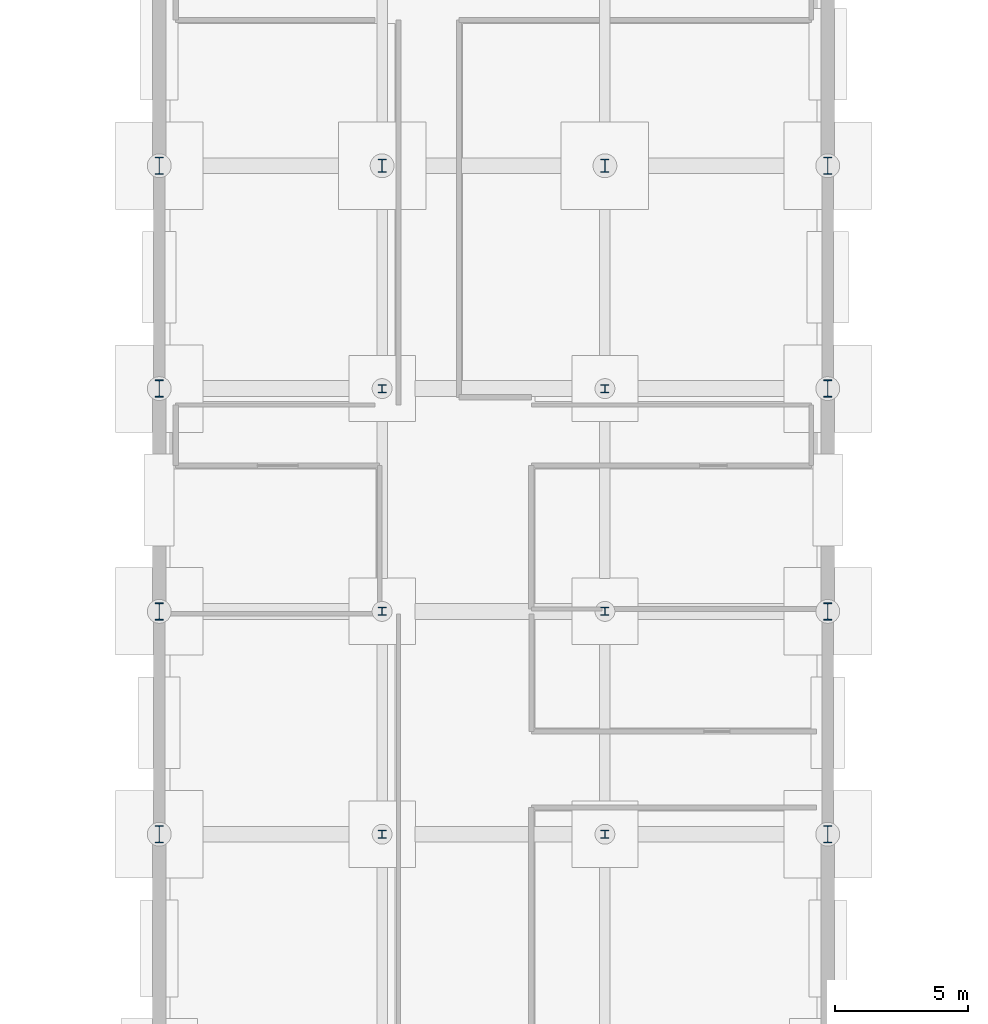
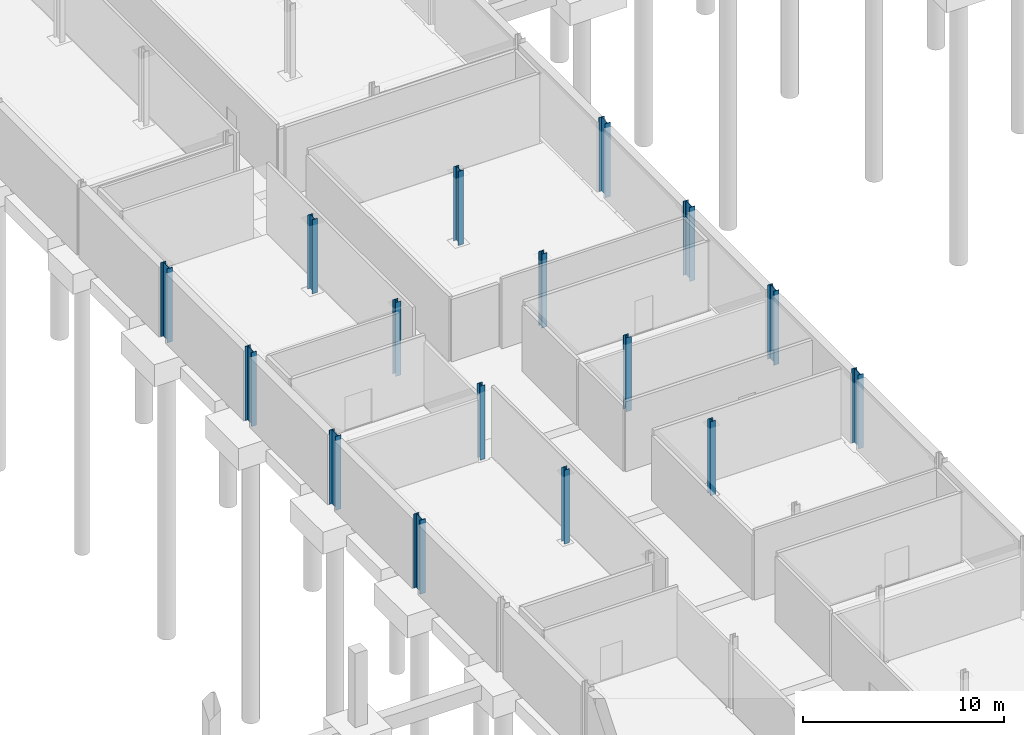
# One storey, part 17 of 43: 16 columns.
"""IFC4 building model written with IfcOpenShell, lengths in metres."""

from ifc_helpers import new_model, si_unit, direction, frame, origin, origin_2d, place, context, subcontext, project, spatial, i_section, extrude, material, material_profile, profile_set, type_object, element, save


model = new_model("IFC4")

# Units and contexts
model_context = context("Model", 3, precision=1e-05, world=origin(), true_north=direction((0.0, 1.0)))
body_context = subcontext(model_context, "Body", "Model", "MODEL_VIEW")
ifc_project = project(units=[si_unit("LENGTHUNIT", "METRE"), si_unit("AREAUNIT", "SQUARE_METRE"), si_unit("VOLUMEUNIT", "CUBIC_METRE"), si_unit("PLANEANGLEUNIT", "RADIAN"), si_unit("MASSUNIT", "GRAM", prefix="KILO")], contexts=[model_context])

# Site, building, storey
site_placement = place(None, origin())
site = spatial("IfcSite", under=ifc_project, at=site_placement, CompositionType="ELEMENT")
building_placement = place(site_placement, origin())
building = spatial("IfcBuilding", under=site, at=building_placement, Name="Mersafa Astral City Hall", CompositionType="ELEMENT")
storey_placement = place(building_placement, frame((0.0, 0.0, -4.5)))
storey = spatial("IfcBuildingStorey", under=building, at=storey_placement, Name="B1", CompositionType="ELEMENT", Elevation=-4.5)

# Columns
ifc_material = material(Name="Steel S355", Category="steel")
ifc_material_profile_1 = material_profile(ifc_material, i_section(OverallWidth=0.300048828125, OverallDepth=0.300048828125, WebThickness=0.010986328125, FlangeThickness=0.01904296875, FilletRadius=0.027099609375, at=origin_2d()), Name="HEB 300")
ifc_profile_set_1 = profile_set([ifc_material_profile_1], Name="Steel S355")
column_type_1 = type_object("IfcColumnType", Name="STR-COL-HEB300", PredefinedType="COLUMN", material=ifc_profile_set_1)
for number, where, z_axis, x_axis, name in (
    (1, (100.800048828125, 67.199951171875, 0.0), (0.0, 0.0, 1.0), (1.0, 0.0, 0.0), "B1 Structural column G-12-08"),
    (2, (100.800048828125, 75.60009765625, 0.0), (0.0, 0.0, 1.0), (1.0, 0.0, 0.0), "B1 Structural column G-12-09"),
    (3, (100.800048828125, 84.0, 0.0), (0.0, 0.0, 1.0), (1.0, 0.0, 0.0), "B1 Structural column G-12-10"),
    (4, (109.199951171875, 67.199951171875, 0.0), (0.0, 0.0, 1.0), (1.0, 0.0, 0.0), "B1 Structural column G-13-08"),
    (5, (109.199951171875, 75.60009765625, 0.0), (0.0, 0.0, 1.0), (1.0, 0.0, 0.0), "B1 Structural column G-13-09"),
    (6, (109.199951171875, 84.0, 0.0), (0.0, 0.0, 1.0), (1.0, 0.0, 0.0), "B1 Structural column G-13-10"),
):
    element("IfcColumn", number, at=place(storey_placement, frame(where, z_axis=z_axis, x_axis=x_axis)), inside=storey, type_object=column_type_1, Name=name, PredefinedType="COLUMN", context=body_context, shape_type="SweptSolid", body=[
        extrude(i_section(OverallWidth=0.300048828125, OverallDepth=0.300048828125, WebThickness=0.010986328125, FlangeThickness=0.01904296875, FilletRadius=0.027099609375, at=origin_2d()), origin(), (0.0, 0.0, 1.0), 4.5),
    ])
ifc_material_profile_2 = material_profile(ifc_material, i_section(OverallWidth=0.300048828125, OverallDepth=0.5, WebThickness=0.014404296875, FlangeThickness=0.028076171875, FilletRadius=0.027099609375, at=origin_2d()), Name="HEB 500")
ifc_profile_set_2 = profile_set([ifc_material_profile_2], Name="Steel S355")
column_type_2 = type_object("IfcColumnType", Name="STR-COL-HEB500", PredefinedType="COLUMN", material=ifc_profile_set_2)
for number, where, z_axis, x_axis, name in (
    (7, (100.800048828125, 92.39990234375, 0.0), (0.0, 0.0, 1.0), (1.0, 0.0, 0.0), "B1 Structural column G-12-11"),
    (8, (109.199951171875, 92.39990234375, 0.0), (0.0, 0.0, 1.0), (1.0, 0.0, 0.0), "B1 Structural column G-13-11"),
):
    element("IfcColumn", number, at=place(storey_placement, frame(where, z_axis=z_axis, x_axis=x_axis)), inside=storey, type_object=column_type_2, Name=name, PredefinedType="COLUMN", context=body_context, shape_type="SweptSolid", body=[
        extrude(i_section(OverallWidth=0.300048828125, OverallDepth=0.5, WebThickness=0.014404296875, FlangeThickness=0.028076171875, FilletRadius=0.027099609375, at=origin_2d()), origin(), (0.0, 0.0, 1.0), 4.5),
    ])
ifc_material_profile_3 = material_profile(ifc_material, i_section(OverallWidth=0.300048828125, OverallDepth=0.64990234375, WebThickness=0.01611328125, FlangeThickness=0.031005859375, FilletRadius=0.027099609375, at=origin_2d()), Name="HEB 650")
ifc_profile_set_3 = profile_set([ifc_material_profile_3], Name="Steel S355")
column_type_3 = type_object("IfcColumnType", Name="STR-COL-HEB650", PredefinedType="COLUMN", material=ifc_profile_set_3)
for number, where, z_axis, x_axis, name in (
    (9, (92.39990234375, 67.199951171875, 0.0), (0.0, 0.0, 1.0), (1.0, 0.0, 0.0), "B1 Structural column G-11-08"),
    (10, (92.39990234375, 75.60009765625, 0.0), (0.0, 0.0, 1.0), (1.0, 0.0, 0.0), "B1 Structural column G-11-09"),
    (11, (92.39990234375, 84.0, 0.0), (0.0, 0.0, 1.0), (1.0, 0.0, 0.0), "B1 Structural column G-11-10"),
    (12, (92.39990234375, 92.39990234375, 0.0), (0.0, 0.0, 1.0), (1.0, 0.0, 0.0), "B1 Structural column G-11-11"),
    (13, (117.60009765625, 67.199951171875, 0.0), (0.0, 0.0, 1.0), (1.0, 0.0, 0.0), "B1 Structural column G-14-08"),
    (14, (117.60009765625, 75.60009765625, 0.0), (0.0, 0.0, 1.0), (1.0, 0.0, 0.0), "B1 Structural column G-14-09"),
    (15, (117.60009765625, 84.0, 0.0), (0.0, 0.0, 1.0), (1.0, 0.0, 0.0), "B1 Structural column G-14-10"),
    (16, (117.60009765625, 92.39990234375, 0.0), (0.0, 0.0, 1.0), (1.0, 0.0, 0.0), "B1 Structural column G-14-11"),
):
    element("IfcColumn", number, at=place(storey_placement, frame(where, z_axis=z_axis, x_axis=x_axis)), inside=storey, type_object=column_type_3, Name=name, PredefinedType="COLUMN", context=body_context, shape_type="SweptSolid", body=[
        extrude(i_section(OverallWidth=0.300048828125, OverallDepth=0.64990234375, WebThickness=0.01611328125, FlangeThickness=0.031005859375, FilletRadius=0.027099609375, at=origin_2d()), origin(), (0.0, 0.0, 1.0), 4.5),
    ])

save(model, "model.ifc")
